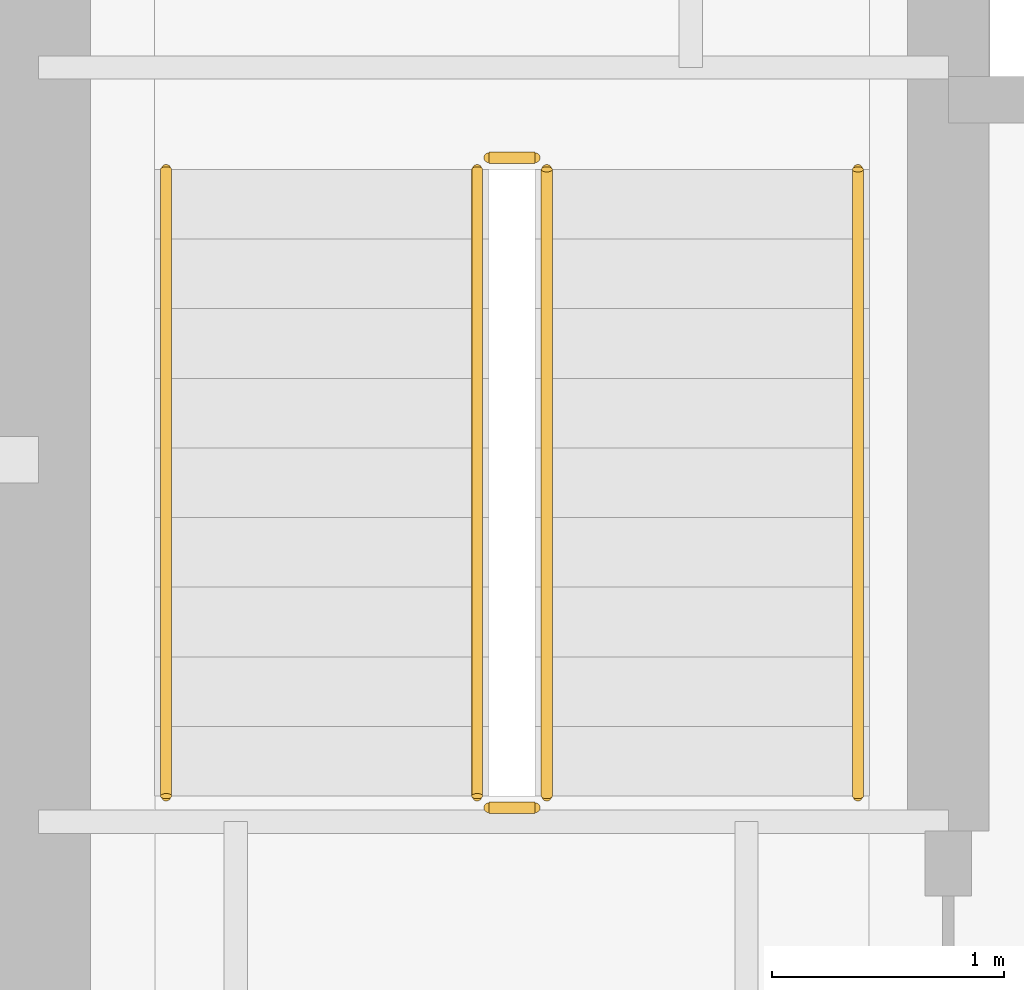
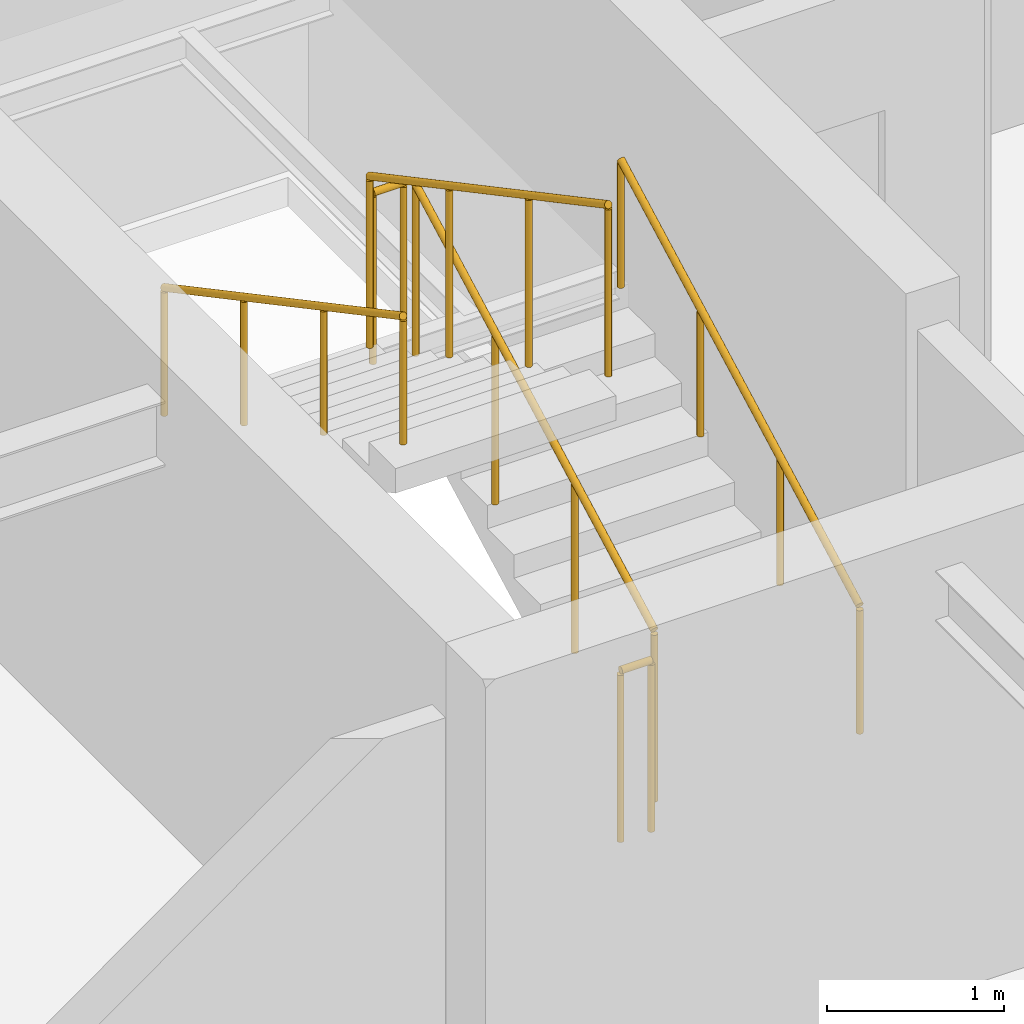
# One storey, part 15 of 16: 6 railings.
"""IFC4 building model written with IfcOpenShell, lengths in metres."""

from ifc_helpers import new_model, si_unit, direction, frame, origin, origin_2d, place, context, subcontext, project, spatial, circle, extrude, material, type_object, element, save


model = new_model("IFC4")

# Units and contexts
model_context = context("Model", 3, precision=1e-05, world=origin(), true_north=direction((0.0, 1.0)))
body_context = subcontext(model_context, "Body", "Model", "MODEL_VIEW")
ifc_project = project(units=[si_unit("LENGTHUNIT", "METRE"), si_unit("AREAUNIT", "SQUARE_METRE"), si_unit("VOLUMEUNIT", "CUBIC_METRE"), si_unit("PLANEANGLEUNIT", "RADIAN"), si_unit("MASSUNIT", "GRAM", prefix="KILO")], contexts=[model_context])

# Site, building, storey
site_placement = place(None, origin())
site = spatial("IfcSite", under=ifc_project, at=site_placement, CompositionType="ELEMENT")
building_placement = place(site_placement, origin())
building = spatial("IfcBuilding", under=site, at=building_placement, Name="Qiaolan Cultural Towers", CompositionType="ELEMENT")
storey_placement = place(building_placement, frame((0.0, 0.0, 240.800048828125)))
storey = spatial("IfcBuildingStorey", under=building, at=storey_placement, Name="L65", CompositionType="ELEMENT", Elevation=240.800048828125)

# Railings
ifc_material_1 = material(Name="Galvanized Painted Steel Stair Guardrail", Category="steel")
railing_type_1 = type_object("IfcRailingType", Name="RL-STAIR-GRD", PredefinedType="GUARDRAIL", material=ifc_material_1)
railing_1_placement = place(storey_placement, frame((23.989990234375, 48.449951171875, 0.159912109375)))
element("IfcRailing", 1, at=railing_1_placement, inside=storey, type_object=railing_type_1, Name="L65 ST-W2 stair guard 1", PredefinedType="GUARDRAIL", context=body_context, shape_type="SweptSolid", body=[
    extrude(circle(Radius=0.02392578125, at=origin_2d()), frame((0.0, 0.0, 1.17578125), z_axis=(0.0, 0.882357358376, 0.470579952952), x_axis=(-1.0, 0.0, 0.0)), (0.0, 0.0, 1.0), 3.059814453125),
    extrude(circle(Radius=0.02099609375, at=origin_2d()), origin(), (0.0, 0.0, 1.0), 1.15185546875),
    extrude(circle(Radius=0.02099609375, at=origin_2d()), frame((0.0, 0.89990234375, 0.47998046875)), (0.0, 0.0, 1.0), 1.15185546875),
    extrude(circle(Radius=0.02099609375, at=origin_2d()), frame((0.0, 1.800048828125, 0.9599609375)), (0.0, 0.0, 1.0), 1.15185546875),
    extrude(circle(Radius=0.02099609375, at=origin_2d()), frame((0.0, 2.699951171875, 1.43994140625)), (0.0, 0.0, 1.0), 1.15185546875),
])
railing_2_placement = place(storey_placement, frame((23.93994140625, 51.199951171875, 1.599853515625)))
element("IfcRailing", 2, at=railing_2_placement, inside=storey, type_object=railing_type_1, Name="L65 ST-W2 stair guard 2", PredefinedType="GUARDRAIL", context=body_context, shape_type="SweptSolid", body=[
    extrude(circle(Radius=0.02392578125, at=origin_2d()), frame((0.0, 0.0, 1.17578125), z_axis=(-1.0, 0.0, 0.0), x_axis=(0.0, -1.0, 0.0)), (0.0, 0.0, 1.0), 0.199951171875),
    extrude(circle(Radius=0.02099609375, at=origin_2d()), origin(), (0.0, 0.0, 1.0), 1.15185546875),
    extrude(circle(Radius=0.02099609375, at=origin_2d()), frame((-0.199951171875, 0.0, 0.0)), (0.0, 0.0, 1.0), 1.15185546875),
])
railing_3_placement = place(storey_placement, frame((23.68994140625, 51.14990234375, 1.760009765625)))
element("IfcRailing", 3, at=railing_3_placement, inside=storey, type_object=railing_type_1, Name="L65 ST-W2 stair guard 3", PredefinedType="GUARDRAIL", context=body_context, shape_type="SweptSolid", body=[
    extrude(circle(Radius=0.02392578125, at=origin_2d()), frame((0.0, 0.0, 1.17578125), z_axis=(0.0, -0.882357358376, 0.470579952952), x_axis=(1.0, 0.0, 0.0)), (0.0, 0.0, 1.0), 3.059814453125),
    extrude(circle(Radius=0.02099609375, at=origin_2d()), origin(), (0.0, 0.0, 1.0), 1.15185546875),
    extrude(circle(Radius=0.02099609375, at=origin_2d()), frame((0.0, -0.89990234375, 0.47998046875)), (0.0, 0.0, 1.0), 1.15185546875),
    extrude(circle(Radius=0.02099609375, at=origin_2d()), frame((0.0, -1.800048828125, 0.9599609375)), (0.0, 0.0, 1.0), 1.15185546875),
    extrude(circle(Radius=0.02099609375, at=origin_2d()), frame((0.0, -2.699951171875, 1.43994140625)), (0.0, 0.0, 1.0), 1.15185546875),
])
railing_4_placement = place(storey_placement, frame((23.93994140625, 48.39990234375, 0.0)))
element("IfcRailing", 4, at=railing_4_placement, inside=storey, type_object=railing_type_1, Name="L65 ST-W2 stair guard 4", PredefinedType="GUARDRAIL", context=body_context, shape_type="SweptSolid", body=[
    extrude(circle(Radius=0.02392578125, at=origin_2d()), frame((0.0, 0.0, 1.17578125), z_axis=(-1.0, 0.0, 0.0), x_axis=(0.0, -1.0, 0.0)), (0.0, 0.0, 1.0), 0.199951171875),
    extrude(circle(Radius=0.02099609375, at=origin_2d()), origin(), (0.0, 0.0, 1.0), 1.15185546875),
    extrude(circle(Radius=0.02099609375, at=origin_2d()), frame((-0.199951171875, 0.0, 0.0)), (0.0, 0.0, 1.0), 1.15185546875),
])
ifc_material_2 = material(Name="Stainless Steel S30408 Tubular Handrail", Category="steel")
railing_type_2 = type_object("IfcRailingType", Name="RL-STAIR-HR", PredefinedType="HANDRAIL", material=ifc_material_2)
railing_5_placement = place(storey_placement, frame((25.330078125, 48.449951171875, 0.159912109375)))
element("IfcRailing", 5, at=railing_5_placement, inside=storey, type_object=railing_type_2, Name="L65 ST-W2 stair handrail 1", PredefinedType="HANDRAIL", context=body_context, shape_type="SweptSolid", body=[
    extrude(circle(Radius=0.02392578125, at=origin_2d()), frame((0.0, 0.0, 0.8759765625), z_axis=(0.0, 0.882357358376, 0.470579952952), x_axis=(-1.0, 0.0, 0.0)), (0.0, 0.0, 1.0), 3.059814453125),
    extrude(circle(Radius=0.02099609375, at=origin_2d()), origin(), (0.0, 0.0, 1.0), 0.851806640625),
    extrude(circle(Radius=0.02099609375, at=origin_2d()), frame((0.0, 0.89990234375, 0.47998046875)), (0.0, 0.0, 1.0), 0.851806640625),
    extrude(circle(Radius=0.02099609375, at=origin_2d()), frame((0.0, 1.800048828125, 0.9599609375)), (0.0, 0.0, 1.0), 0.851806640625),
    extrude(circle(Radius=0.02099609375, at=origin_2d()), frame((0.0, 2.699951171875, 1.43994140625)), (0.0, 0.0, 1.0), 0.851806640625),
])
railing_6_placement = place(storey_placement, frame((22.35009765625, 51.14990234375, 1.760009765625)))
element("IfcRailing", 6, at=railing_6_placement, inside=storey, type_object=railing_type_2, Name="L65 ST-W2 stair handrail 2", PredefinedType="HANDRAIL", context=body_context, shape_type="SweptSolid", body=[
    extrude(circle(Radius=0.02392578125, at=origin_2d()), frame((0.0, 0.0, 0.8759765625), z_axis=(0.0, -0.882357358376, 0.470579952952), x_axis=(1.0, 0.0, 0.0)), (0.0, 0.0, 1.0), 3.059814453125),
    extrude(circle(Radius=0.02099609375, at=origin_2d()), origin(), (0.0, 0.0, 1.0), 0.851806640625),
    extrude(circle(Radius=0.02099609375, at=origin_2d()), frame((0.0, -0.89990234375, 0.47998046875)), (0.0, 0.0, 1.0), 0.851806640625),
    extrude(circle(Radius=0.02099609375, at=origin_2d()), frame((0.0, -1.800048828125, 0.9599609375)), (0.0, 0.0, 1.0), 0.851806640625),
    extrude(circle(Radius=0.02099609375, at=origin_2d()), frame((0.0, -2.699951171875, 1.43994140625)), (0.0, 0.0, 1.0), 0.851806640625),
])

save(model, "model.ifc")
